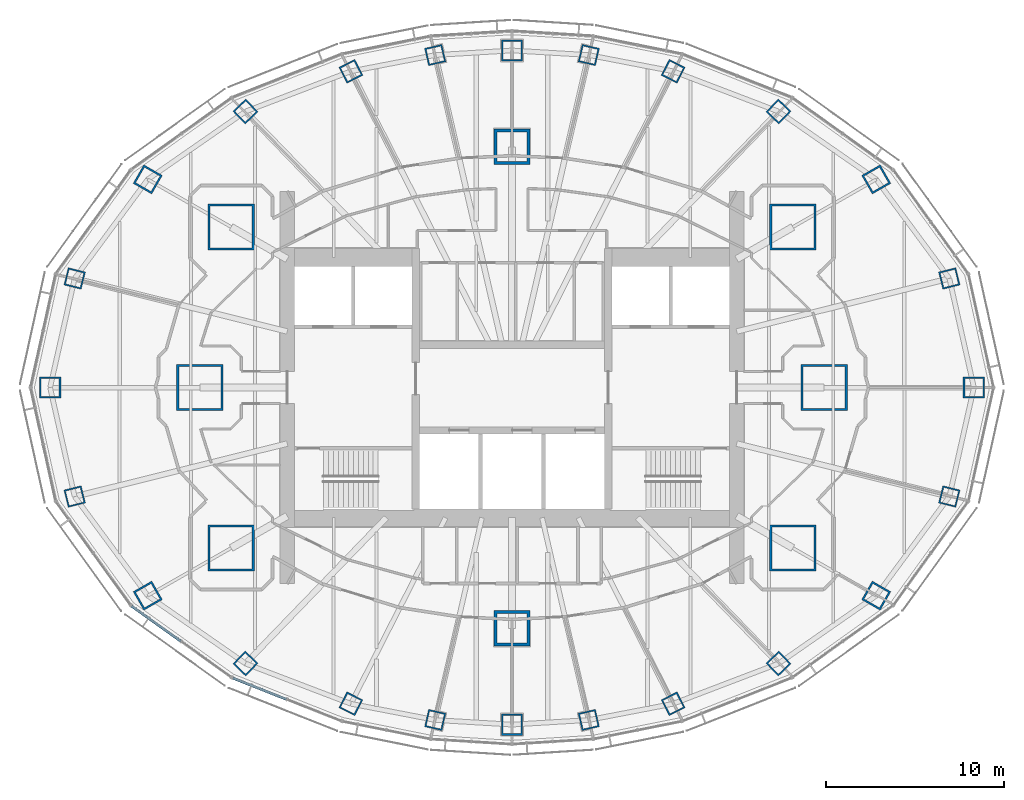
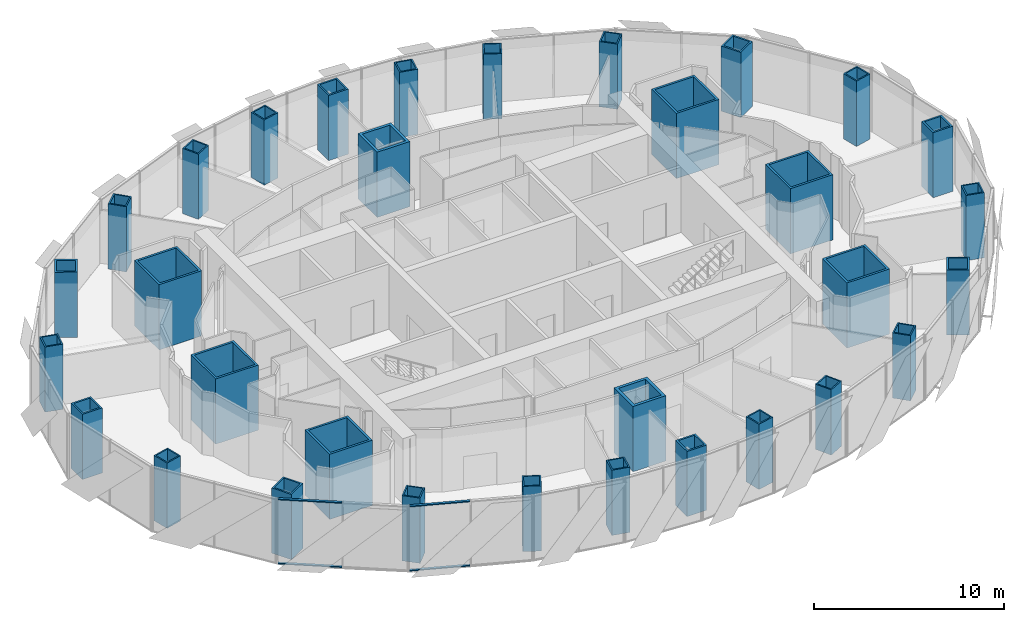
# One storey, part 1 of 19: 32 columns, 4 members, 2 elements without a shape of their own.
"""IFC4 building model written with IfcOpenShell, lengths in metres."""

from ifc_helpers import new_model, si_unit, direction, frame, origin, origin_2d, place, context, subcontext, project, spatial, rectangle, hollow_rectangle, extrude, material, material_profile, profile_set, type_object, element, aggregate, save


model = new_model("IFC4")

# Units and contexts
model_context = context("Model", 3, precision=1e-05, world=origin(), true_north=direction((0.0, 1.0)))
body_context = subcontext(model_context, "Body", "Model", "MODEL_VIEW")
ifc_project = project(units=[si_unit("LENGTHUNIT", "METRE"), si_unit("AREAUNIT", "SQUARE_METRE"), si_unit("VOLUMEUNIT", "CUBIC_METRE"), si_unit("PLANEANGLEUNIT", "RADIAN"), si_unit("MASSUNIT", "GRAM", prefix="KILO")], contexts=[model_context])

# Site, building, storey
site_placement = place(None, origin())
site = spatial("IfcSite", under=ifc_project, at=site_placement, CompositionType="ELEMENT")
building_placement = place(site_placement, origin())
building = spatial("IfcBuilding", under=site, at=building_placement, Name="Lantaw Convention Tower", CompositionType="ELEMENT")
storey_placement = place(building_placement, frame((0.0, 0.0, 253.60009765625)))
storey = spatial("IfcBuildingStorey", under=building, at=storey_placement, Name="L59", CompositionType="ELEMENT", Elevation=253.60009765625)

# Columns
ifc_material_1 = material(Name="Steel EN 10025-3 S460N", Category="steel")
ifc_material_profile_1 = material_profile(ifc_material_1, hollow_rectangle(XDim=2.0, YDim=2.0, WallThickness=0.169921875, at=origin_2d()), Name="BOX2000X170")
ifc_material_2 = material(Name="Concrete C60/75", Category="concrete")
ifc_material_profile_2 = material_profile(ifc_material_2, rectangle(XDim=1.659912109375, YDim=1.659912109375, at=origin_2d()), Name="Concrete fill of BOX2000X170")
ifc_profile_set_1 = profile_set([ifc_material_profile_1, ifc_material_profile_2], Name="Steel EN 10025-3 S460N")
column_type_1 = type_object("IfcColumnType", Name="Column MC BOX2000X170", PredefinedType="COLUMN", material=ifc_profile_set_1)
for number, where, z_axis, x_axis, name in (
    (1, (0.0, 13.5, 0.0), (0.0, 0.0, 1.0), (1.0, 0.0, 0.0), "Mega column M3"),
    (2, (0.0, -13.5, 0.0), (0.0, 0.0, 1.0), (1.0, 0.0, 0.0), "Mega column M7"),
):
    element("IfcColumn", number, at=place(storey_placement, frame(where, z_axis=z_axis, x_axis=x_axis)), inside=storey, type_object=column_type_1, Name=name, PredefinedType="COLUMN", context=body_context, shape_type="SweptSolid", body=[
        extrude(hollow_rectangle(XDim=2.0, YDim=2.0, WallThickness=0.169921875, at=origin_2d()), origin(), (0.0, 0.0, 1.0), 4.199951171875),
    ])
ifc_material_profile_3 = material_profile(ifc_material_1, hollow_rectangle(XDim=2.60009765625, YDim=2.60009765625, WallThickness=0.1298828125, at=origin_2d()), Name="BOX2600X130")
ifc_material_profile_4 = material_profile(ifc_material_2, rectangle(XDim=2.340087890625, YDim=2.340087890625, at=origin_2d()), Name="Concrete fill of BOX2600X130")
ifc_profile_set_2 = profile_set([ifc_material_profile_3, ifc_material_profile_4], Name="Steel EN 10025-3 S460N")
column_type_2 = type_object("IfcColumnType", Name="Column MC BOX2600X130", PredefinedType="COLUMN", material=ifc_profile_set_2)
for number, where, z_axis, x_axis, name in (
    (3, (17.5, 0.0, 0.0), (0.0, 0.0, 1.0), (1.0, 0.0, 0.0), "Mega column M1"),
    (4, (15.75, 9.0, 0.0), (0.0, 0.0, 1.0), (1.0, 0.0, 0.0), "Mega column M2"),
    (5, (-15.75, 9.0, 0.0), (0.0, 0.0, 1.0), (1.0, 0.0, 0.0), "Mega column M4"),
    (6, (-17.5, 0.0, 0.0), (0.0, 0.0, 1.0), (1.0, 0.0, 0.0), "Mega column M5"),
    (7, (-15.75, -9.0, 0.0), (0.0, 0.0, 1.0), (1.0, 0.0, 0.0), "Mega column M6"),
    (8, (15.75, -9.0, 0.0), (0.0, 0.0, 1.0), (1.0, 0.0, 0.0), "Mega column M8"),
):
    element("IfcColumn", number, at=place(storey_placement, frame(where, z_axis=z_axis, x_axis=x_axis)), inside=storey, type_object=column_type_2, Name=name, PredefinedType="COLUMN", context=body_context, shape_type="SweptSolid", body=[
        extrude(hollow_rectangle(XDim=2.60009765625, YDim=2.60009765625, WallThickness=0.1298828125, at=origin_2d()), origin(), (0.0, 0.0, 1.0), 4.199951171875),
    ])
ifc_material_3 = material(Name="Steel ASTM A572 Grade 50", Category="steel")
ifc_material_profile_5 = material_profile(ifc_material_3, hollow_rectangle(XDim=1.0, YDim=1.0, WallThickness=0.080078125, at=origin_2d()), Name="BOX1000X80")
ifc_material_profile_6 = material_profile(ifc_material_2, rectangle(XDim=0.840087890625, YDim=0.840087890625, at=origin_2d()), Name="Concrete fill of BOX1000X80")
ifc_profile_set_3 = profile_set([ifc_material_profile_5, ifc_material_profile_6], Name="Steel ASTM A572 Grade 50")
column_type_3 = type_object("IfcColumnType", Name="Column PC BOX1000X80", PredefinedType="COLUMN", material=ifc_profile_set_3)
for number, where, z_axis, x_axis, name in (
    (9, (24.52197265625, 6.114013671875, 0.0), (0.0, 0.0, 1.0), (0.970295726276, 0.2419218956, 0.0), "Perimeter column P2"),
    (10, (14.9443359375, 15.475341796875, 0.0), (0.0, 0.0, 1.0), (0.694658370459, 0.719339800339, 0.0), "Perimeter column P4"),
    (11, (9.03466796875, 17.7314453125, 0.0), (0.0, 0.0, 1.0), (0.45399049974, 0.891006524188, 0.0), "Perimeter column P5"),
    (12, (4.303955078125, 18.64208984375, 0.0), (0.0, 0.0, 1.0), (0.224951054344, 0.974370064785, 0.0), "Perimeter column P6"),
    (13, (-4.303955078125, 18.64208984375, 0.0), (0.0, 0.0, 1.0), (0.974370064785, 0.224951054344, 0.0), "Perimeter column P8"),
    (14, (-9.03466796875, 17.7314453125, 0.0), (0.0, 0.0, 1.0), (0.891006524188, 0.45399049974, 0.0), "Perimeter column P9"),
    (15, (-14.9443359375, 15.475341796875, 0.0), (0.0, 0.0, 1.0), (0.719339800339, 0.694658370459, 0.0), "Perimeter column P10"),
    (16, (-24.52197265625, 6.114013671875, 0.0), (0.0, 0.0, 1.0), (0.2419218956, 0.970295726276, 0.0), "Perimeter column P12"),
    (17, (-24.52197265625, -6.114013671875, 0.0), (0.0, 0.0, 1.0), (0.970295726276, 0.2419218956, 0.0), "Perimeter column P14"),
    (18, (-14.9443359375, -15.475341796875, 0.0), (0.0, 0.0, 1.0), (0.694658370459, 0.719339800339, 0.0), "Perimeter column P16"),
    (19, (-9.03466796875, -17.7314453125, 0.0), (0.0, 0.0, 1.0), (0.45399049974, 0.891006524188, 0.0), "Perimeter column P17"),
    (20, (-4.303955078125, -18.64208984375, 0.0), (0.0, 0.0, 1.0), (0.224951054344, 0.974370064785, 0.0), "Perimeter column P18"),
    (21, (4.303955078125, -18.64208984375, 0.0), (0.0, 0.0, 1.0), (0.974370064785, 0.224951054344, 0.0), "Perimeter column P20"),
    (22, (9.03466796875, -17.7314453125, 0.0), (0.0, 0.0, 1.0), (0.891006524188, 0.45399049974, 0.0), "Perimeter column P21"),
    (23, (14.9443359375, -15.475341796875, 0.0), (0.0, 0.0, 1.0), (0.719339800339, 0.694658370459, 0.0), "Perimeter column P22"),
    (24, (24.52197265625, -6.114013671875, 0.0), (0.0, 0.0, 1.0), (0.2419218956, 0.970295726276, 0.0), "Perimeter column P24"),
):
    element("IfcColumn", number, at=place(storey_placement, frame(where, z_axis=z_axis, x_axis=x_axis)), inside=storey, type_object=column_type_3, Name=name, PredefinedType="COLUMN", context=body_context, shape_type="SweptSolid", body=[
        extrude(hollow_rectangle(XDim=1.0, YDim=1.0, WallThickness=0.080078125, at=origin_2d()), origin(), (0.0, 0.0, 1.0), 4.199951171875),
    ])
ifc_material_profile_7 = material_profile(ifc_material_1, hollow_rectangle(XDim=1.199951171875, YDim=1.199951171875, WallThickness=0.10009765625, at=origin_2d()), Name="BOX1200X100")
ifc_material_profile_8 = material_profile(ifc_material_2, rectangle(XDim=1.0, YDim=1.0, at=origin_2d()), Name="Concrete fill of BOX1200X100")
ifc_profile_set_4 = profile_set([ifc_material_profile_7, ifc_material_profile_8], Name="Steel EN 10025-3 S460N")
column_type_4 = type_object("IfcColumnType", Name="Column PC BOX1200X100", PredefinedType="COLUMN", material=ifc_profile_set_4)
for number, where, z_axis, x_axis, name in (
    (25, (25.89990234375, 0.0, 0.0), (0.0, 0.0, 1.0), (1.0, 0.0, 0.0), "Perimeter column P1"),
    (26, (20.423095703125, 11.67041015625, 0.0), (0.0, 0.0, 1.0), (0.86824298017, 0.496139221777, 0.0), "Perimeter column P3"),
    (27, (0.0, 18.89990234375, 0.0), (0.0, 0.0, 1.0), (1.0, 0.0, 0.0), "Perimeter column P7"),
    (28, (-20.423095703125, 11.67041015625, 0.0), (0.0, 0.0, 1.0), (0.496139221777, 0.86824298017, 0.0), "Perimeter column P11"),
    (29, (-25.89990234375, 0.0, 0.0), (0.0, 0.0, 1.0), (1.0, 0.0, 0.0), "Perimeter column P13"),
    (30, (-20.423095703125, -11.67041015625, 0.0), (0.0, 0.0, 1.0), (0.86824298017, 0.496139221777, 0.0), "Perimeter column P15"),
    (31, (0.0, -18.89990234375, 0.0), (0.0, 0.0, 1.0), (1.0, 0.0, 0.0), "Perimeter column P19"),
    (32, (20.423095703125, -11.67041015625, 0.0), (0.0, 0.0, 1.0), (0.496139221777, 0.86824298017, 0.0), "Perimeter column P23"),
):
    element("IfcColumn", number, at=place(storey_placement, frame(where, z_axis=z_axis, x_axis=x_axis)), inside=storey, type_object=column_type_4, Name=name, PredefinedType="COLUMN", context=body_context, shape_type="SweptSolid", body=[
        extrude(hollow_rectangle(XDim=1.199951171875, YDim=1.199951171875, WallThickness=0.10009765625, at=origin_2d()), origin(), (0.0, 0.0, 1.0), 4.199951171875),
    ])

# Curtain wall, members
ifc_material_4 = material(Name="Aluminium framed curtain wall", Category="aluminium")
curtain_wall_type = type_object("IfcCurtainWallType", Name="Office curtain wall high rise, pale aluminium", PredefinedType="USERDEFINED", material=ifc_material_4)
curtain_wall_1_placement = place(storey_placement, origin())
curtain_wall_1 = element("IfcCurtainWall", 33, at=curtain_wall_1_placement, inside=storey, type_object=curtain_wall_type, Name="Office curtain wall high rise, pale aluminium L59", ObjectType="UNITISED CURTAIN WALL", PredefinedType="USERDEFINED")
ifc_material_5 = material(Name="Aluminium 6063-T6", Category="aluminium")
ifc_material_profile_9 = material_profile(ifc_material_5, rectangle(XDim=0.14990234375, YDim=0.06494140625, at=origin_2d()), Name="CW-O2 transom 65x150")
ifc_profile_set_5 = profile_set([ifc_material_profile_9], Name="Aluminium 6063-T6")
member_type = type_object("IfcMemberType", Name="CW-O2 transom 65x150", PredefinedType="USERDEFINED", material=ifc_profile_set_5)
member_1_placement = place(storey_placement, frame((-21.3251953125, -12.25390625, -0.11767578125), z_axis=(0.813679882592, -0.581313210468, 0.0), x_axis=(0.581313210468, 0.813679882592, 0.0)))
member_1 = element("IfcMember", 34, at=member_1_placement, type_object=member_type, Name="CW-O2 transom 1.1", ObjectType="TRANSOM", PredefinedType="USERDEFINED", context=body_context, shape_type="SweptSolid", body=[
    extrude(rectangle(XDim=0.14990234375, YDim=0.06494140625, at=origin_2d()), origin(), (0.0, 0.0, 1.0), 3.38623046875),
])
member_2_placement = place(storey_placement, frame((-21.3251953125, -12.25390625, 4.017333984375), z_axis=(0.813679882592, -0.581313210468, 0.0), x_axis=(0.581313210468, 0.813679882592, 0.0)))
member_2 = element("IfcMember", 35, at=member_2_placement, type_object=member_type, Name="CW-O2 transom 1.2", ObjectType="TRANSOM", PredefinedType="USERDEFINED", context=body_context, shape_type="SweptSolid", body=[
    extrude(rectangle(XDim=0.14990234375, YDim=0.06494140625, at=origin_2d()), origin(), (0.0, 0.0, 1.0), 3.38623046875),
])
aggregate(curtain_wall_1, [member_1, member_2])

curtain_wall_2_placement = place(storey_placement, origin())
curtain_wall_2 = element("IfcCurtainWall", 36, at=curtain_wall_2_placement, inside=storey, type_object=curtain_wall_type, Name="Office curtain wall high rise, pale aluminium L59", ObjectType="UNITISED CURTAIN WALL", PredefinedType="USERDEFINED")
member_3_placement = place(storey_placement, frame((-15.648193359375, -16.29052734375, -0.11767578125), z_axis=(0.929740712354, -0.368214893495, 0.0), x_axis=(0.368214893495, 0.929740712354, 0.0)))
member_3 = element("IfcMember", 37, at=member_3_placement, type_object=member_type, Name="CW-O2 transom 1.1", ObjectType="TRANSOM", PredefinedType="USERDEFINED", context=body_context, shape_type="SweptSolid", body=[
    extrude(rectangle(XDim=0.14990234375, YDim=0.06494140625, at=origin_2d()), origin(), (0.0, 0.0, 1.0), 3.22314453125),
])
member_4_placement = place(storey_placement, frame((-15.648193359375, -16.29052734375, 4.017333984375), z_axis=(0.929740712354, -0.368214893495, 0.0), x_axis=(0.368214893495, 0.929740712354, 0.0)))
member_4 = element("IfcMember", 38, at=member_4_placement, type_object=member_type, Name="CW-O2 transom 1.2", ObjectType="TRANSOM", PredefinedType="USERDEFINED", context=body_context, shape_type="SweptSolid", body=[
    extrude(rectangle(XDim=0.14990234375, YDim=0.06494140625, at=origin_2d()), origin(), (0.0, 0.0, 1.0), 3.22314453125),
])
aggregate(curtain_wall_2, [member_3, member_4])

save(model, "model.ifc")
